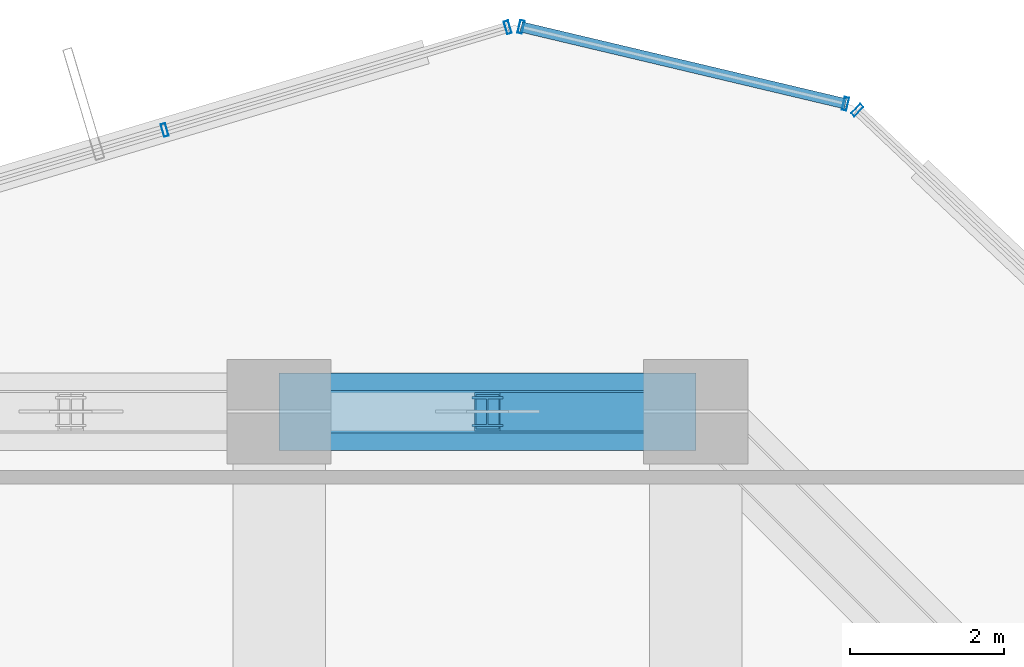
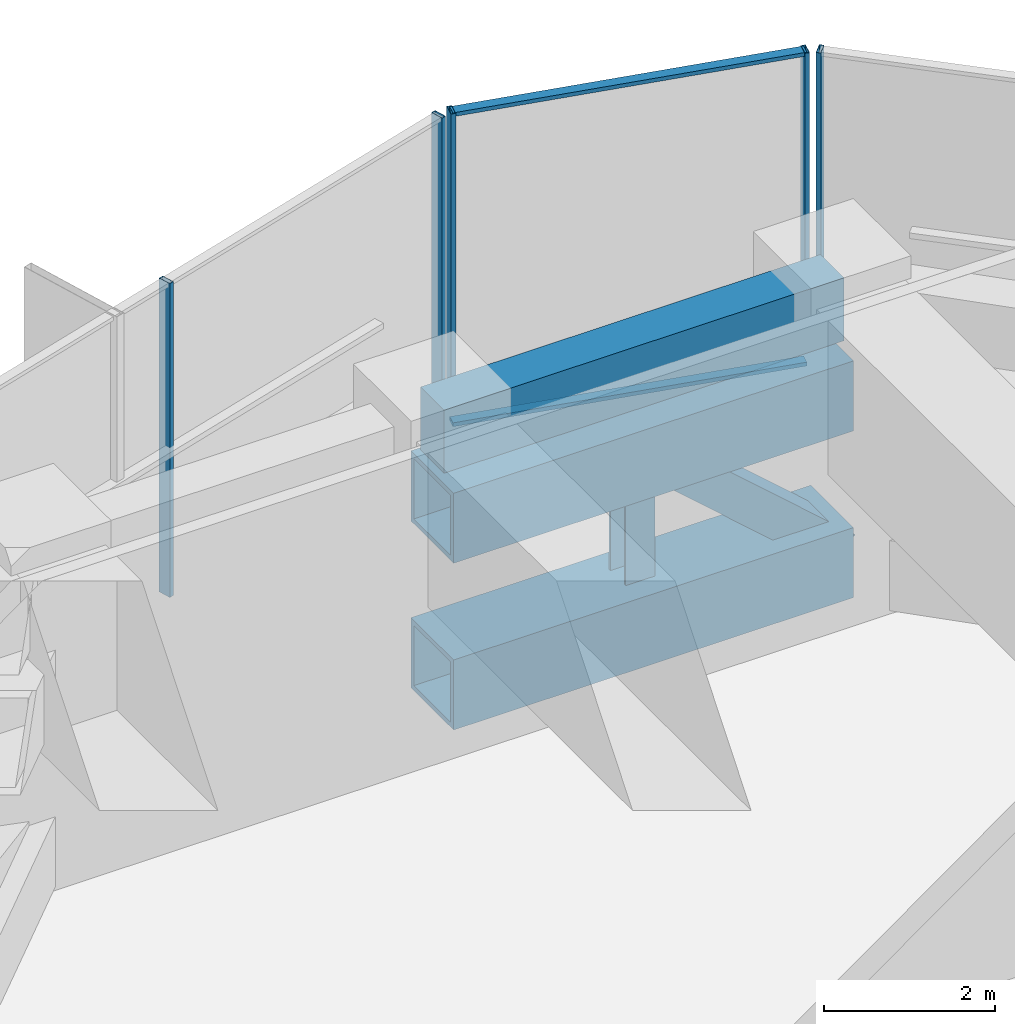
# One storey, part 29 of 41: 11 members, 1 beam, 3 elements without a shape of their own.
"""IFC4 building model written with IfcOpenShell, lengths in metres."""

from ifc_helpers import new_model, si_unit, direction, frame, origin, origin_2d, place, context, subcontext, project, spatial, rectangle, hollow_rectangle, i_section, extrude, source, transform, mapped, material, layer, layer_set, material_profile, profile_set, type_object, element, aggregate, save


model = new_model("IFC4")

# Units and contexts
model_context = context("Model", 3, precision=1e-05, world=origin(), true_north=direction((0.0, 1.0)))
body_context = subcontext(model_context, "Body", "Model", "MODEL_VIEW")
ifc_project = project(units=[si_unit("LENGTHUNIT", "METRE"), si_unit("AREAUNIT", "SQUARE_METRE"), si_unit("VOLUMEUNIT", "CUBIC_METRE"), si_unit("PLANEANGLEUNIT", "RADIAN"), si_unit("MASSUNIT", "GRAM", prefix="KILO")], contexts=[model_context])

# Site, building, storey
site_placement = place(None, origin())
site = spatial("IfcSite", under=ifc_project, at=site_placement, CompositionType="ELEMENT")
building_placement = place(site_placement, origin())
building = spatial("IfcBuilding", under=site, at=building_placement, Name="Veraguas Prism Commons", CompositionType="ELEMENT")
storey_placement = place(building_placement, frame((0.0, 0.0, 80.35009765625)))
storey = spatial("IfcBuildingStorey", under=building, at=storey_placement, Name="L22", CompositionType="ELEMENT", Elevation=80.35009765625)

# Members
ifc_material_1 = material(Name="Steel ASTM A913 Grade 65", Category="steel")
ifc_material_profile_1 = material_profile(ifc_material_1, hollow_rectangle(XDim=1.0, YDim=1.0, WallThickness=0.070068359375, at=origin_2d()), Name="BOX1000X1000X70")
ifc_profile_set_1 = profile_set([ifc_material_profile_1], Name="Steel ASTM A913 Grade 65")
member_type_1 = type_object("IfcMemberType", Name="Belt Truss Chord L22 Box 1000x1000x70", PredefinedType="CHORD", material=ifc_profile_set_1)
for number, where, z_axis, x_axis, name in (
    (1, (29.39990234375, 41.60009765625, 0.5498046875), (-1.0, 0.0, 0.0), (0.0, -1.0, 0.0), "Perimeter Belt Truss Chord Bottom L22-04"),
    (2, (29.39990234375, 41.60009765625, 2.929931640625), (-1.0, 0.0, 0.0), (0.0, -1.0, 0.0), "Perimeter Belt Truss Chord Top L22-04"),
):
    element("IfcMember", number, at=place(storey_placement, frame(where, z_axis=z_axis, x_axis=x_axis)), inside=storey, type_object=member_type_1, Name=name, PredefinedType="CHORD", context=body_context, shape_type="SweptSolid", body=[
        extrude(hollow_rectangle(XDim=1.0, YDim=1.0, WallThickness=0.070068359375, at=origin_2d()), origin(), (0.0, 0.0, 1.0), 5.39990234375),
    ])
ifc_material_2 = material(Name="Steel ASTM A992 Grade 50", Category="steel")
ifc_material_profile_2 = material_profile(ifc_material_2, i_section(OverallWidth=0.39794921875, OverallDepth=0.386962890625, WebThickness=0.01904296875, FlangeThickness=0.0302734375, at=origin_2d()), Name="W360X262")
ifc_profile_set_2 = profile_set([ifc_material_profile_2], Name="Steel ASTM A992 Grade 50")
member_type_2 = type_object("IfcMemberType", Name="Belt Truss Vertical Strut W360x262", PredefinedType="STRUT", material=ifc_profile_set_2)
member_1_placement = place(storey_placement, frame((26.699951171875, 41.60009765625, 0.5498046875), z_axis=(0.0, 0.0, 1.0), x_axis=(-1.0, 0.0, 0.0)))
element("IfcMember", 3, at=member_1_placement, inside=storey, type_object=member_type_2, Name="Perimeter Belt Truss Strut L22-04", PredefinedType="STRUT", context=body_context, shape_type="SweptSolid", body=[
    extrude(i_section(OverallWidth=0.39794921875, OverallDepth=0.386962890625, WebThickness=0.01904296875, FlangeThickness=0.0302734375, at=origin_2d()), origin(), (0.0, 0.0, 1.0), 2.380126953125),
])
ifc_material_3 = material(Name="Steel ASTM A572 Grade 50", Category="steel")
ifc_material_profile_3 = material_profile(ifc_material_3, hollow_rectangle(XDim=0.5, YDim=0.5, WallThickness=0.02490234375, at=origin_2d()), Name="BOX500X500X25")
ifc_profile_set_3 = profile_set([ifc_material_profile_3], Name="Steel ASTM A572 Grade 50")
member_type_3 = type_object("IfcMemberType", Name="Perimeter Belt Diagonal BOX 500x500x25", PredefinedType="BRACE", material=ifc_profile_set_3)
member_2_placement = place(storey_placement, frame((29.39990234375, 41.60009765625, 0.5498046875), z_axis=(-0.750138660667, 0.0, 0.66128056812), x_axis=(0.0, -1.0, 0.0)))
element("IfcMember", 4, at=member_2_placement, inside=storey, type_object=member_type_3, Name="Perimeter Belt Truss Brace L22-04A", PredefinedType="BRACE", context=body_context, shape_type="SweptSolid", body=[
    extrude(hollow_rectangle(XDim=0.5, YDim=0.5, WallThickness=0.02490234375, at=origin_2d()), origin(), (0.0, 0.0, 1.0), 3.599365234375),
])

# Beam
ifc_material_4 = material(Name="Concrete C50/60", Category="concrete")
ifc_material_profile_4 = material_profile(ifc_material_4, rectangle(XDim=0.550048828125, YDim=0.89990234375, at=origin_2d()), Name="RC550X900")
ifc_profile_set_4 = profile_set([ifc_material_profile_4], Name="Concrete C50/60")
beam_type = type_object("IfcBeamType", Name="Perimeter Spandrel Lower RC 550x900", PredefinedType="SPANDREL", material=ifc_profile_set_4)
beam_placement = place(storey_placement, frame((29.39990234375, 41.60009765625, 4.02978515625), z_axis=(-1.0, 0.0, 0.0), x_axis=(0.0, -1.0, 0.0)))
element("IfcBeam", 5, at=beam_placement, inside=storey, type_object=beam_type, Name="Perimeter Spandrel Beam L22-SP04", PredefinedType="SPANDREL", context=body_context, shape_type="SweptSolid", body=[
    extrude(rectangle(XDim=0.550048828125, YDim=0.89990234375, at=origin_2d()), origin(), (0.0, 0.0, 1.0), 5.39990234375),
])

# Curtain wall, members
ifc_material_5 = material(Name="Anodised aluminium EN AW-6063 T6", Category="aluminium")
ifc_layer = layer(ifc_material_5, 0.169921875, Name="Unitised Flush Curtain Wall Zone 1", Category="aluminium")
ifc_layer_set = layer_set([ifc_layer], Name="Anodised aluminium EN AW-6063 T6")
curtain_wall_type = type_object("IfcCurtainWallType", Name="Unitised Flush Curtain Wall Zone 1", PredefinedType="NOTDEFINED", material=ifc_layer_set)
curtain_wall_1_placement = place(storey_placement, origin())
curtain_wall_1 = element("IfcCurtainWall", 6, at=curtain_wall_1_placement, inside=storey, type_object=curtain_wall_type, Name="Chamfer Curtain Wall L22-C2", PredefinedType="NOTDEFINED")
ifc_material_profile_5 = material_profile(ifc_material_5, hollow_rectangle(XDim=0.054931640625, YDim=0.135009765625, WallThickness=0.0029296875, at=origin_2d()), Name="AL55X135X3")
ifc_profile_set_5 = profile_set([ifc_material_profile_5], Name="Anodised aluminium EN AW-6063 T6")
member_type_4 = type_object("IfcMemberType", Name="Curtain Wall Transom Standard AL 55x135x3", PredefinedType="USERDEFINED", material=ifc_profile_set_5)
shared_shape_1 = source(origin(), body_context, "Body", "SweptSolid", [
    extrude(hollow_rectangle(XDim=0.054931640625, YDim=0.135009765625, WallThickness=0.0029296875, at=origin_2d()), origin(), (0.0, 0.0, 1.0), 4.320068359375),
])
member_3_placement = place(storey_placement, frame((31.339599609375, 45.590087890625, 0.02734375), z_axis=(-0.973016215836, 0.230736741158, 0.0), x_axis=(0.0, 0.0, 1.0)))
member_3 = element("IfcMember", 7, at=member_3_placement, type_object=member_type_4, Name="CW-Z1 Transom 1", ObjectType="TRANSOM", PredefinedType="USERDEFINED", context=body_context, shape_type="MappedRepresentation", body=[
    mapped(shared_shape_1, transform((0.0, 0.0, 0.0), scale=1.0)),
])
member_4_placement = place(storey_placement, frame((31.339599609375, 45.590087890625, 4.452392578125), z_axis=(-0.973016215836, 0.230736741158, 0.0), x_axis=(0.0, 0.0, 1.0)))
member_4 = element("IfcMember", 8, at=member_4_placement, type_object=member_type_4, Name="CW-Z1 Transom 2", ObjectType="TRANSOM", PredefinedType="USERDEFINED", context=body_context, shape_type="MappedRepresentation", body=[
    mapped(shared_shape_1, transform((0.0, 0.0, 0.0), scale=1.0)),
])

# Curtain wall, member
curtain_wall_2_placement = place(storey_placement, origin())
curtain_wall_2 = element("IfcCurtainWall", 9, at=curtain_wall_2_placement, inside=storey, type_object=curtain_wall_type, Name="Tower Facade Curtain Wall L22-F1", PredefinedType="NOTDEFINED")
ifc_material_profile_6 = material_profile(ifc_material_5, hollow_rectangle(XDim=0.06005859375, YDim=0.169921875, WallThickness=0.00390625, at=origin_2d()), Name="AL60X170X4")
ifc_profile_set_6 = profile_set([ifc_material_profile_6], Name="Anodised aluminium EN AW-6063 T6")
member_type_5 = type_object("IfcMemberType", Name="Curtain Wall Mullion Lower AL 60x170x4", PredefinedType="MULLION", material=ifc_profile_set_6)
shared_shape_2 = source(origin(), body_context, "Body", "SweptSolid", [
    extrude(hollow_rectangle(XDim=0.06005859375, YDim=0.169921875, WallThickness=0.00390625, at=origin_2d()), origin(), (0.0, 0.0, 1.0), 4.47998046875),
])
member_5_placement = place(storey_placement, frame((31.492431640625, 45.507568359375, 0.0), z_axis=(0.0, 0.0, 1.0), x_axis=(-0.727294986673, 0.686324997621, 0.0)))
member_5 = element("IfcMember", 10, at=member_5_placement, type_object=member_type_5, Name="CW-Z1 Mullion 5", PredefinedType="MULLION", context=body_context, shape_type="MappedRepresentation", body=[
    mapped(shared_shape_2, transform((0.0, 0.0, 0.0), scale=1.0)),
])
aggregate(curtain_wall_2, [member_5])

# Curtain wall, members
curtain_wall_3_placement = place(storey_placement, origin())
curtain_wall_3 = element("IfcCurtainWall", 11, at=curtain_wall_3_placement, inside=storey, type_object=curtain_wall_type, Name="Tower Facade Curtain Wall L22-F2", PredefinedType="NOTDEFINED")
member_6_placement = place(storey_placement, frame((26.962158203125, 46.581787109375, 0.0), z_axis=(0.0, 0.0, 1.0), x_axis=(-0.958022876902, -0.286691763629, 0.0)))
member_6 = element("IfcMember", 12, at=member_6_placement, type_object=member_type_5, Name="CW-Z1 Mullion 1", PredefinedType="MULLION", context=body_context, shape_type="MappedRepresentation", body=[
    mapped(shared_shape_2, transform((0.0, 0.0, 0.0), scale=1.0)),
])
member_7_placement = place(storey_placement, frame((22.51611328125, 45.251220703125, 0.0), z_axis=(0.0, 0.0, 1.0), x_axis=(-0.958022876902, -0.286691763629, 0.0)))
member_7 = element("IfcMember", 13, at=member_7_placement, type_object=member_type_5, Name="CW-Z1 Mullion 2", PredefinedType="MULLION", context=body_context, shape_type="MappedRepresentation", body=[
    mapped(shared_shape_2, transform((0.0, 0.0, 0.0), scale=1.0)),
])
aggregate(curtain_wall_3, [member_6, member_7])

# Member
member_8_placement = place(storey_placement, frame((31.339599609375, 45.590087890625, 0.0), z_axis=(0.0, 0.0, 1.0), x_axis=(-0.973012392552, 0.23075286334, 0.0)))
member_8 = element("IfcMember", 14, at=member_8_placement, type_object=member_type_5, Name="CW-Z1 Mullion 1", PredefinedType="MULLION", context=body_context, shape_type="MappedRepresentation", body=[
    mapped(shared_shape_2, transform((0.0, 0.0, 0.0), scale=1.0)),
])

member_9_placement = place(storey_placement, frame((27.135986328125, 46.5869140625, 0.0), z_axis=(0.0, 0.0, 1.0), x_axis=(-0.973012392552, 0.23075286334, 0.0)))
member_9 = element("IfcMember", 15, at=member_9_placement, type_object=member_type_5, Name="CW-Z1 Mullion 2", PredefinedType="MULLION", context=body_context, shape_type="MappedRepresentation", body=[
    mapped(shared_shape_2, transform((0.0, 0.0, 0.0), scale=1.0)),
])

aggregate(curtain_wall_1, [member_8, member_9, member_3, member_4])

save(model, "model.ifc")
